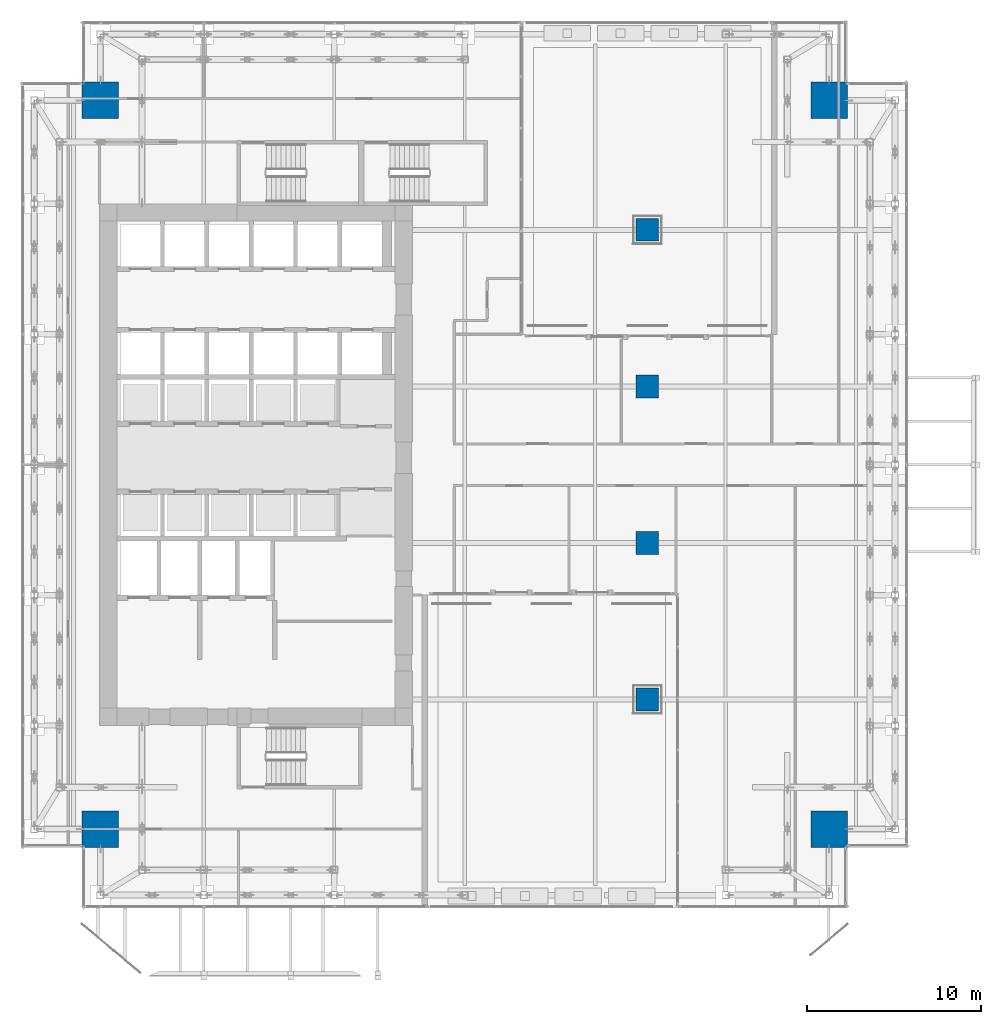
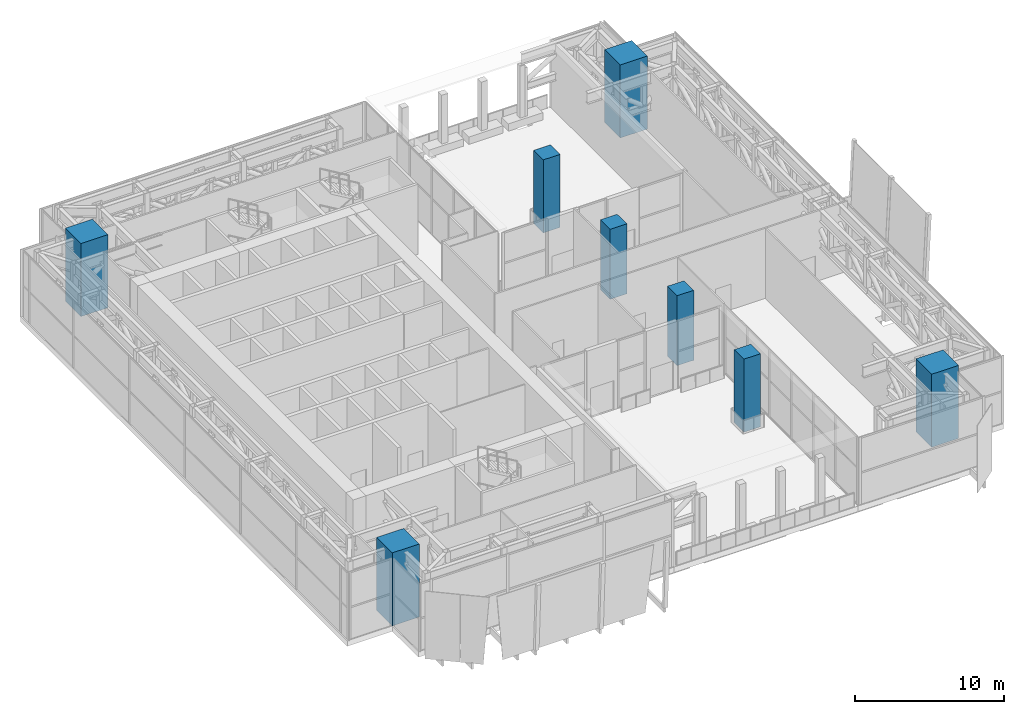
# One storey, part 1 of 47: 8 columns.
"""IFC4 building model written with IfcOpenShell, lengths in metres."""

from ifc_helpers import new_model, si_unit, direction, frame, origin, origin_2d, place, context, subcontext, project, spatial, rectangle, extrude, source, transform, mapped, material, material_profile, profile_set, type_object, element, save


model = new_model("IFC4")

# Units and contexts
model_context = context("Model", 3, precision=1e-05, world=origin(), true_north=direction((0.0, 1.0)))
body_context = subcontext(model_context, "Body", "Model", "MODEL_VIEW")
ifc_project = project(units=[si_unit("LENGTHUNIT", "METRE"), si_unit("AREAUNIT", "SQUARE_METRE"), si_unit("VOLUMEUNIT", "CUBIC_METRE"), si_unit("PLANEANGLEUNIT", "RADIAN"), si_unit("MASSUNIT", "GRAM", prefix="KILO")], contexts=[model_context])

# Site, building, storey
site_placement = place(None, origin())
site = spatial("IfcSite", under=ifc_project, at=site_placement, CompositionType="ELEMENT")
building_placement = place(site_placement, origin())
building = spatial("IfcBuilding", under=site, at=building_placement, Name="Khomas Fold Tower", CompositionType="ELEMENT")
storey_placement = place(building_placement, frame((0.0, 0.0, 158.699951171875)))
storey = spatial("IfcBuildingStorey", under=building, at=storey_placement, Name="L34", CompositionType="ELEMENT", Elevation=158.699951171875)

# Columns
ifc_material_1 = material(Name="Concrete C70/85", Category="concrete")
ifc_material_profile_1 = material_profile(ifc_material_1, rectangle(XDim=2.10009765625, YDim=2.10009765625, at=origin_2d()), Name="RC 2100x2100")
ifc_profile_set_1 = profile_set([ifc_material_profile_1], Name="Concrete C70/85")
column_type_1 = type_object("IfcColumnType", Name="RC 2100x2100 column", PredefinedType="COLUMN", material=ifc_profile_set_1)
shared_shape_1 = source(origin(), body_context, "Body", "SweptSolid", [
    extrude(rectangle(XDim=2.10009765625, YDim=2.10009765625, at=origin_2d()), origin(), (0.0, 0.0, 1.0), 6.0),
])
for number, where, z_axis, x_axis, name in (
    (1, (47.949951171875, 47.949951171875, 0.0), (0.0, 0.0, 1.0), (1.0, 0.0, 0.0), "CM-NE"),
    (2, (6.050048828125, 47.949951171875, 0.0), (0.0, 0.0, 1.0), (1.0, 0.0, 0.0), "CM-NW"),
    (3, (47.949951171875, 6.050048828125, 0.0), (0.0, 0.0, 1.0), (1.0, 0.0, 0.0), "CM-SE"),
    (4, (6.050048828125, 6.050048828125, 0.0), (0.0, 0.0, 1.0), (1.0, 0.0, 0.0), "CM-SW"),
):
    element("IfcColumn", number, at=place(storey_placement, frame(where, z_axis=z_axis, x_axis=x_axis)), inside=storey, type_object=column_type_1, Name=name, PredefinedType="COLUMN", context=body_context, shape_type="MappedRepresentation", body=[
        mapped(shared_shape_1, transform((0.0, 0.0, 0.0))),
    ])
ifc_material_2 = material(Name="Concrete C60/75", Category="concrete")
ifc_material_profile_2 = material_profile(ifc_material_2, rectangle(XDim=1.300048828125, YDim=1.300048828125, at=origin_2d()), Name="RC 1300x1300")
ifc_profile_set_2 = profile_set([ifc_material_profile_2], Name="Concrete C60/75")
column_type_2 = type_object("IfcColumnType", Name="RC 1300x1300 column", PredefinedType="COLUMN", material=ifc_profile_set_2)
shared_shape_2 = source(origin(), body_context, "Body", "SweptSolid", [
    extrude(rectangle(XDim=1.300048828125, YDim=1.300048828125, at=origin_2d()), origin(), (0.0, 0.0, 1.0), 6.0),
])
for number, where, z_axis, x_axis, name in (
    (5, (37.5, 13.5, 0.0), (0.0, 0.0, 1.0), (1.0, 0.0, 0.0), "C-11-H"),
    (6, (37.5, 40.5, 0.0), (0.0, 0.0, 1.0), (1.0, 0.0, 0.0), "C-11-P"),
):
    element("IfcColumn", number, at=place(storey_placement, frame(where, z_axis=z_axis, x_axis=x_axis)), inside=storey, type_object=column_type_2, Name=name, PredefinedType="COLUMN", context=body_context, shape_type="MappedRepresentation", body=[
        mapped(shared_shape_2, transform((0.0, 0.0, 0.0))),
    ])
shared_shape_3 = source(origin(), body_context, "Body", "SweptSolid", [
    extrude(rectangle(XDim=1.300048828125, YDim=1.300048828125, at=origin_2d()), origin(), (0.0, 0.0, 1.0), 5.75),
])
for number, where, z_axis, x_axis, name in (
    (7, (37.5, 22.5, 0.0), (0.0, 0.0, 1.0), (1.0, 0.0, 0.0), "C-11-K"),
    (8, (37.5, 31.5, 0.0), (0.0, 0.0, 1.0), (1.0, 0.0, 0.0), "C-11-M"),
):
    element("IfcColumn", number, at=place(storey_placement, frame(where, z_axis=z_axis, x_axis=x_axis)), inside=storey, type_object=column_type_2, Name=name, PredefinedType="COLUMN", context=body_context, shape_type="MappedRepresentation", body=[
        mapped(shared_shape_3, transform((0.0, 0.0, 0.0))),
    ])

save(model, "model.ifc")
